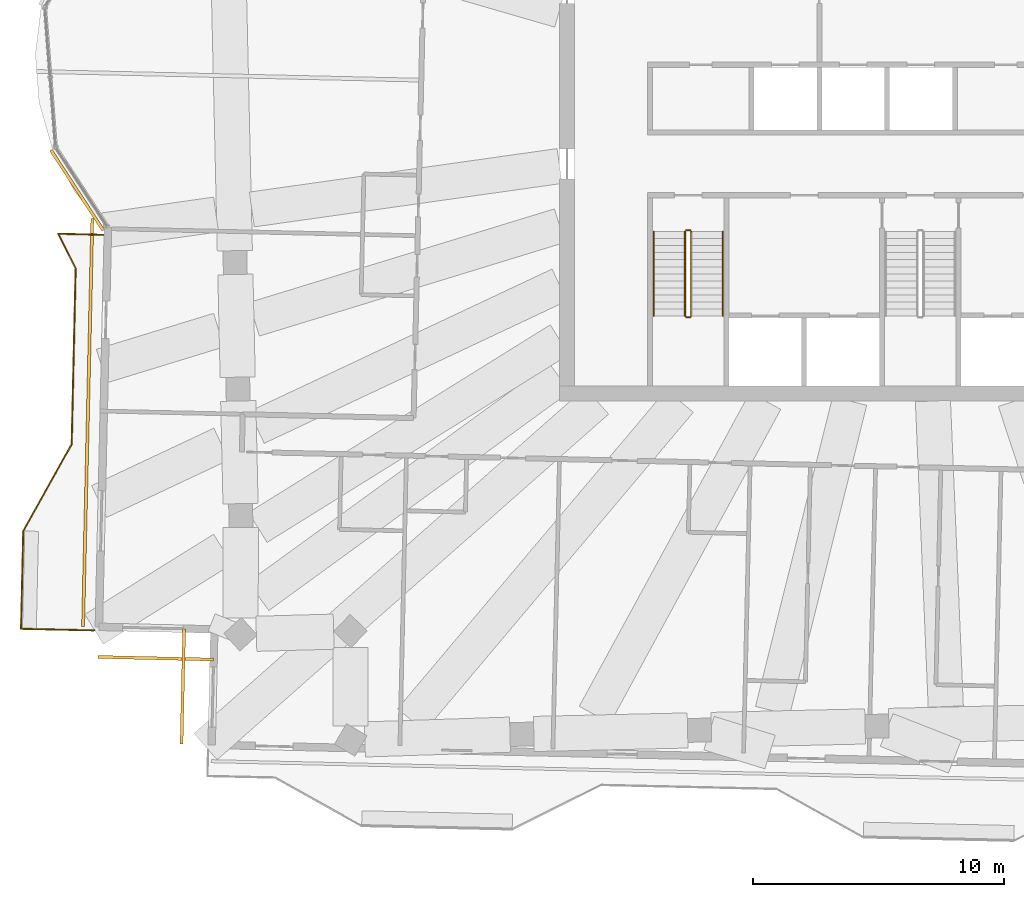
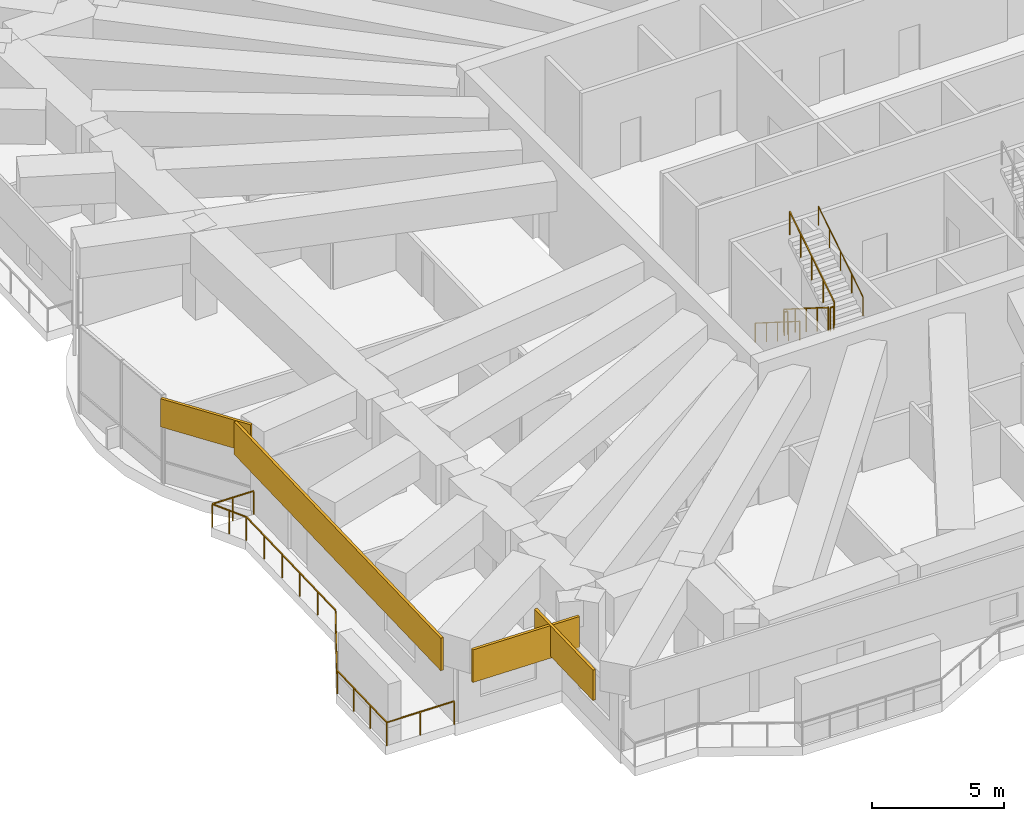
# One storey, part 16 of 20: 7 railings, 4 coverings.
"""IFC4 building model written with IfcOpenShell, lengths in metres."""

from ifc_helpers import new_model, si_unit, direction, frame, frame_2d, origin, origin_2d, place, context, subcontext, project, spatial, rectangle, circle, extrude, material, layer, layer_set, type_object, element, save


model = new_model("IFC4")

# Units and contexts
model_context = context("Model", 3, precision=1e-05, world=origin(), true_north=direction((0.0, 1.0)))
body_context = subcontext(model_context, "Body", "Model", "MODEL_VIEW")
ifc_project = project(units=[si_unit("LENGTHUNIT", "METRE"), si_unit("AREAUNIT", "SQUARE_METRE"), si_unit("VOLUMEUNIT", "CUBIC_METRE"), si_unit("PLANEANGLEUNIT", "RADIAN"), si_unit("MASSUNIT", "GRAM", prefix="KILO")], contexts=[model_context])

# Site, building, storey
site_placement = place(None, origin())
site = spatial("IfcSite", under=ifc_project, at=site_placement, CompositionType="ELEMENT")
building_placement = place(site_placement, origin())
building = spatial("IfcBuilding", under=site, at=building_placement, Name="Mangrove Gate Tower", CompositionType="ELEMENT")
storey_placement = place(building_placement, frame((0.0, 0.0, 301.5)))
storey = spatial("IfcBuildingStorey", under=building, at=storey_placement, Name="L77", CompositionType="ELEMENT", Elevation=301.5)

# Railings
ifc_material_1 = material(Name="Stainless steel grade 316 with laminated glass infill", Category="steel")
railing_type_1 = type_object("IfcRailingType", Name="Balcony guard 1100", PredefinedType="GUARDRAIL", material=ifc_material_1)
railing_1_placement = place(storey_placement, frame((-32.593994140625, -4.77392578125, 0.0)))
element("IfcRailing", 1, at=railing_1_placement, inside=storey, type_object=railing_type_1, Name="GUARD L77 W2", PredefinedType="GUARDRAIL", context=body_context, shape_type="SweptSolid", body=[
    extrude(rectangle(XDim=0.048095703125, YDim=0.048095703125, at=origin_2d()), frame((0.0, 0.0, 1.076171875), z_axis=(-0.999736374059, 0.02296045261, 0.0), x_axis=(-0.02296045261, -0.999736374059, 0.0)), (0.0, 0.0, 1.0), 1.786376953125),
    extrude(rectangle(XDim=0.048095703125, YDim=0.048095703125, at=origin_2d()), frame((-1.785888671875, 0.041015625, 1.076171875), z_axis=(0.44683674338, -0.894615517843, 0.0), x_axis=(0.894615517843, 0.44683674338, 0.0)), (0.0, 0.0, 1.0), 1.554931640625),
    extrude(rectangle(XDim=0.048095703125, YDim=0.048095703125, at=origin_2d()), frame((-1.091064453125, -1.35009765625, 1.076171875), z_axis=(-0.022566119286, -0.999745352708, 0.0), x_axis=(0.999745352708, -0.022566119286, 0.0)), (0.0, 0.0, 1.0), 6.999755859375),
    extrude(rectangle(XDim=0.048095703125, YDim=0.048095703125, at=origin_2d()), frame((-1.2490234375, -8.34814453125, 1.076171875), z_axis=(-0.487155136876, -0.873315448515, 0.0), x_axis=(0.873315448515, -0.487155136876, 0.0)), (0.0, 0.0, 1.0), 3.959716796875),
    extrude(rectangle(XDim=0.048095703125, YDim=0.048095703125, at=origin_2d()), frame((-3.177978515625, -11.80615234375, 1.076171875), z_axis=(-0.022849386682, -0.999738918682, 0.0), x_axis=(0.999738918682, -0.022849386682, 0.0)), (0.0, 0.0, 1.0), 3.89990234375),
    extrude(rectangle(XDim=0.048095703125, YDim=0.048095703125, at=origin_2d()), frame((-3.26708984375, -15.705078125, 1.076171875), z_axis=(0.999750936541, -0.022317367331, 0.0), x_axis=(0.022317367331, 0.999750936541, 0.0)), (0.0, 0.0, 1.0), 2.909912109375),
    extrude(rectangle(XDim=0.0419921875, YDim=0.0419921875, at=origin_2d()), origin(), (0.0, 0.0, 1.0), 1.052001953125),
    extrude(rectangle(XDim=0.0419921875, YDim=0.0419921875, at=origin_2d()), frame((-0.89306640625, 0.0205078125, 0.0)), (0.0, 0.0, 1.0), 1.052001953125),
    extrude(rectangle(XDim=0.0419921875, YDim=0.0419921875, at=origin_2d()), frame((-1.785888671875, 0.041015625, 0.0)), (0.0, 0.0, 1.0), 1.052001953125),
    extrude(rectangle(XDim=0.0419921875, YDim=0.0419921875, at=origin_2d()), frame((-1.4384765625, -0.654541015625, 0.0)), (0.0, 0.0, 1.0), 1.052001953125),
    extrude(rectangle(XDim=0.0419921875, YDim=0.0419921875, at=origin_2d()), frame((-1.091064453125, -1.35009765625, 0.0)), (0.0, 0.0, 1.0), 1.052001953125),
    extrude(rectangle(XDim=0.0419921875, YDim=0.0419921875, at=origin_2d()), frame((-1.12255859375, -2.749755859375, 0.0)), (0.0, 0.0, 1.0), 1.052001953125),
    extrude(rectangle(XDim=0.0419921875, YDim=0.0419921875, at=origin_2d()), frame((-1.154296875, -4.1494140625, 0.0)), (0.0, 0.0, 1.0), 1.052001953125),
    extrude(rectangle(XDim=0.0419921875, YDim=0.0419921875, at=origin_2d()), frame((-1.185791015625, -5.548828125, 0.0)), (0.0, 0.0, 1.0), 1.052001953125),
    extrude(rectangle(XDim=0.0419921875, YDim=0.0419921875, at=origin_2d()), frame((-1.217529296875, -6.948486328125, 0.0)), (0.0, 0.0, 1.0), 1.052001953125),
    extrude(rectangle(XDim=0.0419921875, YDim=0.0419921875, at=origin_2d()), frame((-1.2490234375, -8.34814453125, 0.0)), (0.0, 0.0, 1.0), 1.052001953125),
    extrude(rectangle(XDim=0.0419921875, YDim=0.0419921875, at=origin_2d()), frame((-1.89208984375, -9.500732421875, 0.0)), (0.0, 0.0, 1.0), 1.052001953125),
    extrude(rectangle(XDim=0.0419921875, YDim=0.0419921875, at=origin_2d()), frame((-2.534912109375, -10.653564453125, 0.0)), (0.0, 0.0, 1.0), 1.052001953125),
    extrude(rectangle(XDim=0.0419921875, YDim=0.0419921875, at=origin_2d()), frame((-3.177978515625, -11.80615234375, 0.0)), (0.0, 0.0, 1.0), 1.052001953125),
    extrude(rectangle(XDim=0.0419921875, YDim=0.0419921875, at=origin_2d()), frame((-3.207763671875, -13.105712890625, 0.0)), (0.0, 0.0, 1.0), 1.052001953125),
    extrude(rectangle(XDim=0.0419921875, YDim=0.0419921875, at=origin_2d()), frame((-3.2373046875, -14.405517578125, 0.0)), (0.0, 0.0, 1.0), 1.052001953125),
    extrude(rectangle(XDim=0.0419921875, YDim=0.0419921875, at=origin_2d()), frame((-3.26708984375, -15.705078125, 0.0)), (0.0, 0.0, 1.0), 1.052001953125),
    extrude(rectangle(XDim=0.0419921875, YDim=0.0419921875, at=origin_2d()), frame((-1.8125, -15.737548828125, 0.0)), (0.0, 0.0, 1.0), 1.052001953125),
    extrude(rectangle(XDim=0.0419921875, YDim=0.0419921875, at=origin_2d()), frame((-0.35791015625, -15.77001953125, 0.0)), (0.0, 0.0, 1.0), 1.052001953125),
])
ifc_material_2 = material(Name="Stainless steel 316", Category="steel")
railing_type_2 = type_object("IfcRailingType", Name="Core stair guard 1100", PredefinedType="GUARDRAIL", material=ifc_material_2)
railing_2_placement = place(storey_placement, frame((-9.39990234375, -4.64990234375, 0.177001953125)))
element("IfcRailing", 2, at=railing_2_placement, inside=storey, type_object=railing_type_2, Name="L77 ST1 stair guard 1", PredefinedType="GUARDRAIL", context=body_context, shape_type="SweptSolid", body=[
    extrude(rectangle(XDim=0.048095703125, YDim=0.048095703125, at=origin_2d()), frame((0.0, 0.0, 1.076171875), z_axis=(0.0, -0.845389635667, 0.534150132366), x_axis=(1.0, 0.0, 0.0)), (0.0, 0.0, 1.0), 3.974609375),
    extrude(rectangle(XDim=0.0419921875, YDim=0.0419921875, at=origin_2d()), origin(), (0.0, 0.0, 1.0), 1.052001953125),
    extrude(rectangle(XDim=0.0419921875, YDim=0.0419921875, at=origin_2d()), frame((0.0, -0.840087890625, 0.53076171875)), (0.0, 0.0, 1.0), 1.052001953125),
    extrude(rectangle(XDim=0.0419921875, YDim=0.0419921875, at=origin_2d()), frame((0.0, -1.68017578125, 1.0615234375)), (0.0, 0.0, 1.0), 1.052001953125),
    extrude(rectangle(XDim=0.0419921875, YDim=0.0419921875, at=origin_2d()), frame((0.0, -2.52001953125, 1.59228515625)), (0.0, 0.0, 1.0), 1.052001953125),
    extrude(rectangle(XDim=0.0419921875, YDim=0.0419921875, at=origin_2d()), frame((0.0, -3.360107421875, 2.123046875)), (0.0, 0.0, 1.0), 1.052001953125),
])
railing_3_placement = place(storey_placement, frame((-9.35009765625, -8.06005859375, 2.300048828125)))
element("IfcRailing", 3, at=railing_3_placement, inside=storey, type_object=railing_type_2, Name="L77 ST1 stair guard 2", PredefinedType="GUARDRAIL", context=body_context, shape_type="SweptSolid", body=[
    extrude(rectangle(XDim=0.048095703125, YDim=0.048095703125, at=origin_2d()), frame((0.0, 0.0, 1.076171875), z_axis=(1.0, 0.0, 0.0), x_axis=(0.0, 1.0, 0.0)), (0.0, 0.0, 1.0), 0.150146484375),
    extrude(rectangle(XDim=0.0419921875, YDim=0.0419921875, at=origin_2d()), origin(), (0.0, 0.0, 1.0), 1.052001953125),
    extrude(rectangle(XDim=0.0419921875, YDim=0.0419921875, at=origin_2d()), frame((0.150146484375, 0.0, 0.0)), (0.0, 0.0, 1.0), 1.052001953125),
])
railing_4_placement = place(storey_placement, frame((-9.14990234375, -8.010009765625, 2.476806640625)))
element("IfcRailing", 4, at=railing_4_placement, inside=storey, type_object=railing_type_2, Name="L77 ST1 stair guard 3", PredefinedType="GUARDRAIL", context=body_context, shape_type="SweptSolid", body=[
    extrude(rectangle(XDim=0.048095703125, YDim=0.048095703125, at=origin_2d()), frame((0.0, 0.0, 1.076171875), z_axis=(0.0, 0.845361898145, 0.534194029511), x_axis=(-1.0, 0.0, 0.0)), (0.0, 0.0, 1.0), 3.974853515625),
    extrude(rectangle(XDim=0.0419921875, YDim=0.0419921875, at=origin_2d()), origin(), (0.0, 0.0, 1.0), 1.052001953125),
    extrude(rectangle(XDim=0.0419921875, YDim=0.0419921875, at=origin_2d()), frame((0.0, 0.840087890625, 0.53076171875)), (0.0, 0.0, 1.0), 1.052001953125),
    extrude(rectangle(XDim=0.0419921875, YDim=0.0419921875, at=origin_2d()), frame((0.0, 1.68017578125, 1.0615234375)), (0.0, 0.0, 1.0), 1.052001953125),
    extrude(rectangle(XDim=0.0419921875, YDim=0.0419921875, at=origin_2d()), frame((0.0, 2.52001953125, 1.592529296875)), (0.0, 0.0, 1.0), 1.052001953125),
    extrude(rectangle(XDim=0.0419921875, YDim=0.0419921875, at=origin_2d()), frame((0.0, 3.360107421875, 2.123291015625)), (0.0, 0.0, 1.0), 1.052001953125),
])
railing_5_placement = place(storey_placement, frame((-9.35009765625, -4.60009765625, 0.0)))
element("IfcRailing", 5, at=railing_5_placement, inside=storey, type_object=railing_type_2, Name="L77 ST1 stair guard 4", PredefinedType="GUARDRAIL", context=body_context, shape_type="SweptSolid", body=[
    extrude(rectangle(XDim=0.048095703125, YDim=0.048095703125, at=origin_2d()), frame((0.0, 0.0, 1.076171875), z_axis=(1.0, 0.0, 0.0), x_axis=(0.0, 1.0, 0.0)), (0.0, 0.0, 1.0), 0.150146484375),
    extrude(rectangle(XDim=0.0419921875, YDim=0.0419921875, at=origin_2d()), origin(), (0.0, 0.0, 1.0), 1.052001953125),
    extrude(rectangle(XDim=0.0419921875, YDim=0.0419921875, at=origin_2d()), frame((0.150146484375, 0.0, 0.0)), (0.0, 0.0, 1.0), 1.052001953125),
])
ifc_material_3 = material(Name="Stainless steel 316", Category="steel")
railing_type_3 = type_object("IfcRailingType", Name="Core stair handrail 900", PredefinedType="HANDRAIL", material=ifc_material_3)
railing_6_placement = place(storey_placement, frame((-10.64990234375, -4.64990234375, 0.177001953125)))
element("IfcRailing", 6, at=railing_6_placement, inside=storey, type_object=railing_type_3, Name="L77 ST1 stair handrail 1", PredefinedType="HANDRAIL", context=body_context, shape_type="SweptSolid", body=[
    extrude(circle(Radius=0.02392578125, at=origin_2d()), frame((0.0, 0.0, 0.8759765625), z_axis=(0.0, -0.845389635667, 0.534150132366), x_axis=(1.0, 0.0, 0.0)), (0.0, 0.0, 1.0), 3.974609375),
    extrude(circle(Radius=0.02099609375, at=origin_2d()), origin(), (0.0, 0.0, 1.0), 0.851806640625),
    extrude(circle(Radius=0.02099609375, at=origin_2d()), frame((0.0, -0.840087890625, 0.53076171875)), (0.0, 0.0, 1.0), 0.851806640625),
    extrude(circle(Radius=0.02099609375, at=origin_2d()), frame((0.0, -1.68017578125, 1.0615234375)), (0.0, 0.0, 1.0), 0.851806640625),
    extrude(circle(Radius=0.02099609375, at=origin_2d()), frame((0.0, -2.52001953125, 1.59228515625)), (0.0, 0.0, 1.0), 0.851806640625),
    extrude(circle(Radius=0.02099609375, at=origin_2d()), frame((0.0, -3.360107421875, 2.123046875)), (0.0, 0.0, 1.0), 0.851806640625),
])
railing_7_placement = place(storey_placement, frame((-7.89990234375, -8.010009765625, 2.476806640625)))
element("IfcRailing", 7, at=railing_7_placement, inside=storey, type_object=railing_type_3, Name="L77 ST1 stair handrail 2", PredefinedType="HANDRAIL", context=body_context, shape_type="SweptSolid", body=[
    extrude(circle(Radius=0.02392578125, at=origin_2d()), frame((0.0, 0.0, 0.8759765625), z_axis=(0.0, 0.845361898145, 0.534194029511), x_axis=(-1.0, 0.0, 0.0)), (0.0, 0.0, 1.0), 3.974853515625),
    extrude(circle(Radius=0.02099609375, at=origin_2d()), origin(), (0.0, 0.0, 1.0), 0.851806640625),
    extrude(circle(Radius=0.02099609375, at=origin_2d()), frame((0.0, 0.840087890625, 0.53076171875)), (0.0, 0.0, 1.0), 0.851806640625),
    extrude(circle(Radius=0.02099609375, at=origin_2d()), frame((0.0, 1.68017578125, 1.0615234375)), (0.0, 0.0, 1.0), 0.851806640625),
    extrude(circle(Radius=0.02099609375, at=origin_2d()), frame((0.0, 2.52001953125, 1.592529296875)), (0.0, 0.0, 1.0), 0.851806640625),
    extrude(circle(Radius=0.02099609375, at=origin_2d()), frame((0.0, 3.360107421875, 2.123291015625)), (0.0, 0.0, 1.0), 0.851806640625),
])

# Coverings
ifc_material_4 = material(Name="Limestone", Category="masonry")
ifc_layer_1 = layer(ifc_material_4, 0.0400390625, Name="Limestone cladding")
ifc_material_5 = material(Name="Stainless steel anchors and cavity", Category="steel")
ifc_layer_2 = layer(ifc_material_5, 0.080078125, Name="Fixing cavity")
ifc_layer_set = layer_set([ifc_layer_1, ifc_layer_2], Name="Joint fascia cladding 120")
covering_type = type_object("IfcCoveringType", Name="Joint fascia cladding 120", PredefinedType="CLADDING", material=ifc_layer_set)
covering_1_placement = place(storey_placement, frame((-34.672119140625, -1.40087890625, 2.75), z_axis=(0.0, 0.0, 1.0), x_axis=(0.546302900008, -0.837587691793, 0.0)))
element("IfcCovering", 8, at=covering_1_placement, inside=storey, type_object=covering_type, Name="STONE FASCIA L77 W9.L2", PredefinedType="CLADDING", context=body_context, shape_type="SweptSolid", body=[
    extrude(rectangle(XDim=3.81689453125, YDim=0.1201171875, at=frame_2d((1.908447265625, 0.0))), origin(), (0.0, 0.0, 1.0), 1.300048828125),
])
covering_2_placement = place(storey_placement, frame((-33.017578125, -4.133544921875, 2.550048828125), z_axis=(0.0, 0.0, 1.0), x_axis=(-0.022723452315, -0.999741789021, 0.0)))
element("IfcCovering", 9, at=covering_2_placement, inside=storey, type_object=covering_type, Name="STONE FASCIA L77 W10.1", PredefinedType="CLADDING", context=body_context, shape_type="SweptSolid", body=[
    extrude(rectangle(XDim=16.255615234375, YDim=0.1201171875, at=frame_2d((8.1279296875, 0.0))), origin(), (0.0, 0.0, 1.0), 1.5),
])
covering_3_placement = place(storey_placement, frame((-32.784912109375, -21.597900390625, 2.550048828125), z_axis=(0.0, 0.0, 1.0), x_axis=(0.999739445762, -0.022826313475, 0.0)))
element("IfcCovering", 10, at=covering_3_placement, inside=storey, type_object=covering_type, Name="STONE FASCIA L77 S11.1", PredefinedType="CLADDING", context=body_context, shape_type="SweptSolid", body=[
    extrude(rectangle(XDim=4.59912109375, YDim=0.1201171875, at=frame_2d((2.299560546875, 0.0))), origin(), (0.0, 0.0, 1.0), 1.5),
])
covering_4_placement = place(storey_placement, frame((-29.35888671875, -20.47607421875, 2.64990234375), z_axis=(0.0, 0.0, 1.0), x_axis=(-0.022609285172, -0.999744377441, 0.0)))
element("IfcCovering", 11, at=covering_4_placement, inside=storey, type_object=covering_type, Name="STONE FASCIA L77 W12.1", PredefinedType="CLADDING", context=body_context, shape_type="SweptSolid", body=[
    extrude(rectangle(XDim=4.60009765625, YDim=0.1201171875, at=frame_2d((2.300048828125, 0.0))), origin(), (0.0, 0.0, 1.0), 1.400146484375),
])

save(model, "model.ifc")
